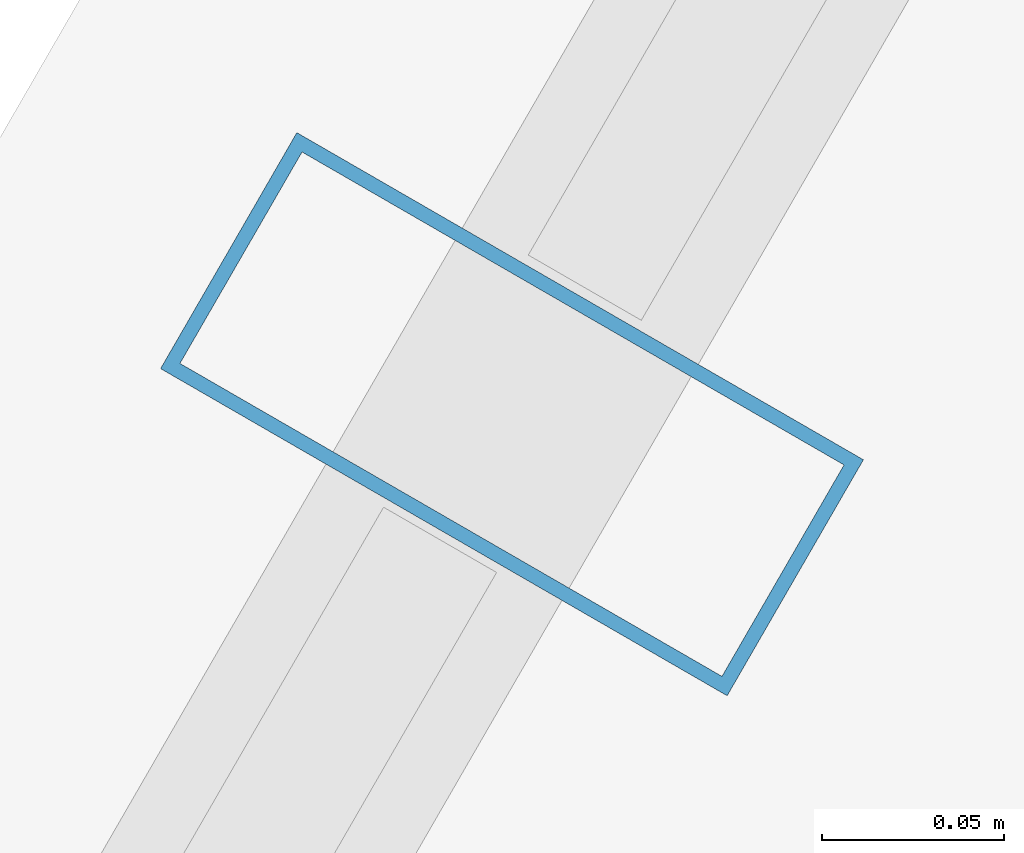
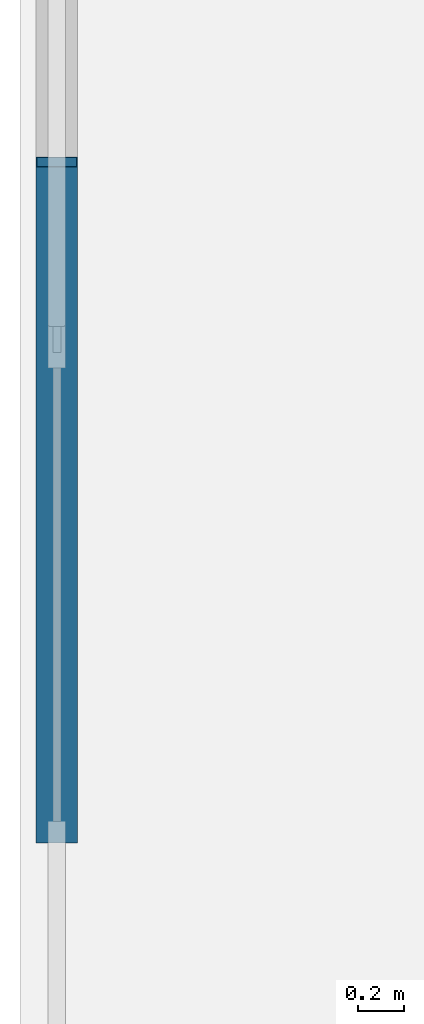
# One storey, part 13 of 33: 1 member, 1 element without a shape of its own.
"""IFC4 building model written with IfcOpenShell, lengths in metres."""

from ifc_helpers import new_model, si_unit, direction, frame, origin, origin_2d, place, context, subcontext, project, spatial, hollow_rectangle, extrude, material, layer, layer_set, material_profile, profile_set, type_object, element, aggregate, save


model = new_model("IFC4")

# Units and contexts
model_context = context("Model", 3, precision=1e-05, world=origin(), true_north=direction((0.0, 1.0)))
body_context = subcontext(model_context, "Body", "Model", "MODEL_VIEW")
ifc_project = project(units=[si_unit("LENGTHUNIT", "METRE"), si_unit("AREAUNIT", "SQUARE_METRE"), si_unit("VOLUMEUNIT", "CUBIC_METRE"), si_unit("PLANEANGLEUNIT", "RADIAN"), si_unit("MASSUNIT", "GRAM", prefix="KILO")], contexts=[model_context])

# Site, building, storey
site_placement = place(None, origin())
site = spatial("IfcSite", under=ifc_project, at=site_placement, CompositionType="ELEMENT")
building_placement = place(site_placement, origin())
building = spatial("IfcBuilding", under=site, at=building_placement, Name="Ndaravel Arena Tower", CompositionType="ELEMENT")
storey_placement = place(building_placement, frame((0.0, 0.0, 165.0)))
storey = spatial("IfcBuildingStorey", under=building, at=storey_placement, Name="L39", CompositionType="ELEMENT", Elevation=165.0)

# Curtain wall, member
ifc_material_1 = material(Name="Aluminium", Category="aluminium")
ifc_layer = layer(ifc_material_1, 0.179931640625)
ifc_layer_set = layer_set([ifc_layer], Name="Aluminium")
curtain_wall_type = type_object("IfcCurtainWallType", Name="CW-SYS-03", PredefinedType="NOTDEFINED", material=ifc_layer_set)
curtain_wall_placement = place(storey_placement, origin())
curtain_wall = element("IfcCurtainWall", 1, at=curtain_wall_placement, inside=storey, type_object=curtain_wall_type, Name="L39 Faceted Crystal Curtain Wall CW-L39-E05", PredefinedType="NOTDEFINED")
ifc_material_2 = material(Name="Aluminium", Category="aluminium")
ifc_material_profile = material_profile(ifc_material_2, hollow_rectangle(XDim=0.074951171875, YDim=0.179931640625, WallThickness=0.00390625, at=origin_2d()), Name="CW MULLION 75x180x4")
ifc_profile_set = profile_set([ifc_material_profile], Name="Aluminium")
member_type = type_object("IfcMemberType", Name="MEM-CW-MUL180", PredefinedType="MULLION", material=ifc_profile_set)
member_placement = place(storey_placement, frame((29.798583984375, 34.256591796875, 0.0), z_axis=(0.0, 0.0, 1.0), x_axis=(-0.5, -0.866025403784, 0.0)))
member = element("IfcMember", 2, at=member_placement, type_object=member_type, Name="CW-L39-E05 Mullion 03", PredefinedType="MULLION", context=body_context, shape_type="SweptSolid", body=[
    extrude(hollow_rectangle(XDim=0.074951171875, YDim=0.179931640625, WallThickness=0.00390625, at=origin_2d()), origin(), (0.0, 0.0, 1.0), 3.580078125),
])
aggregate(curtain_wall, [member])

save(model, "model.ifc")
